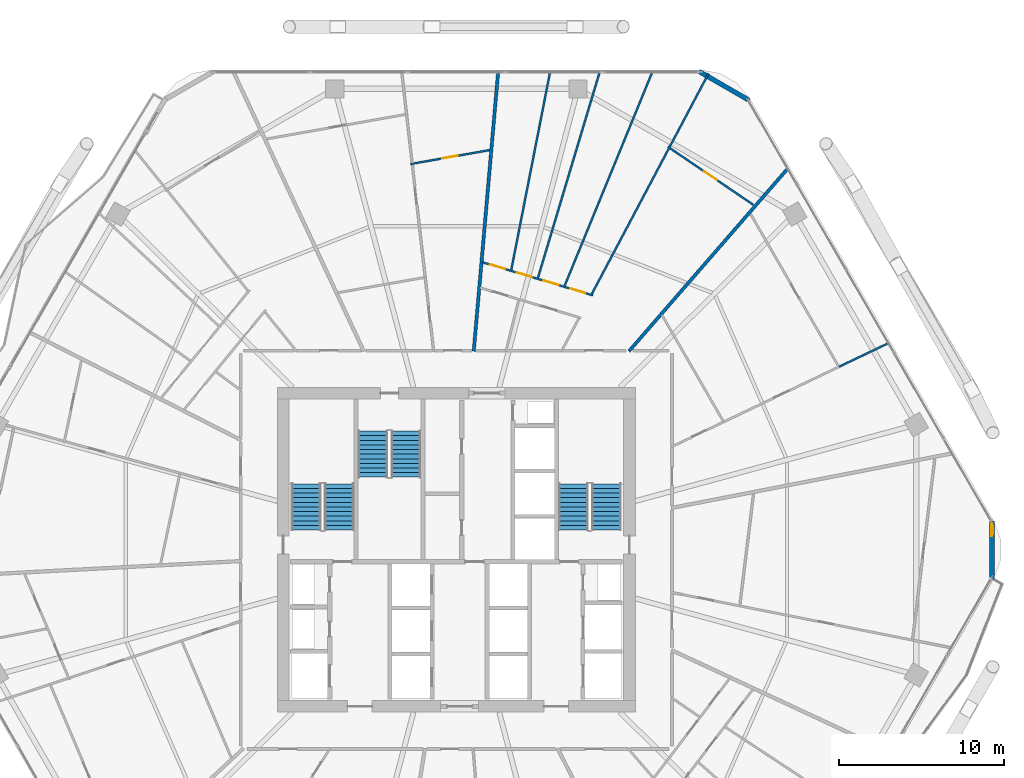
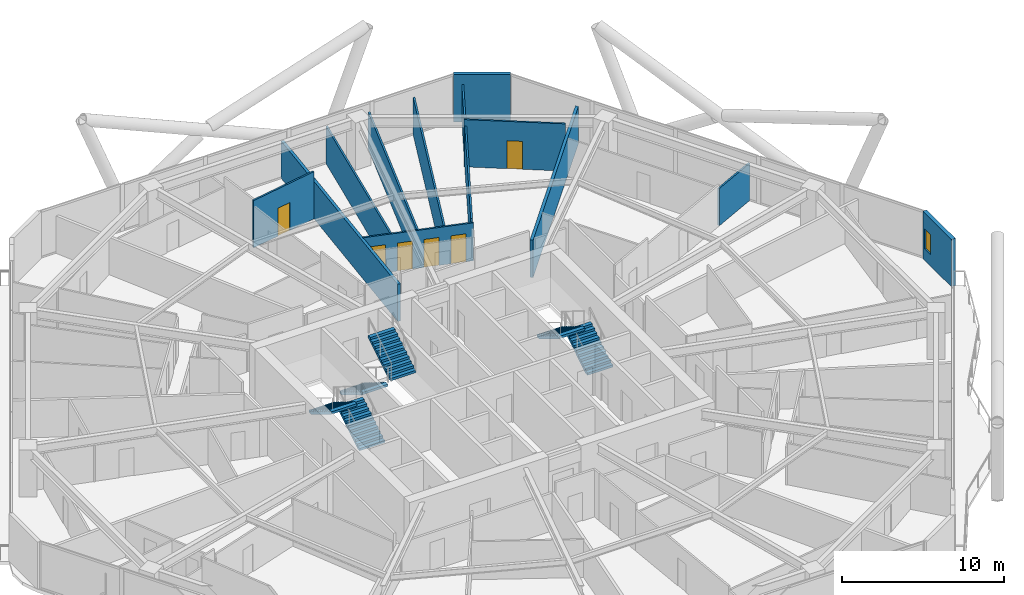
# One storey, part 32 of 34: 13 walls, 6 doors, 6 stair flights, 1 window, 7 openings, 3 elements without a shape of their own.
"""IFC4 building model written with IfcOpenShell, lengths in metres."""

from ifc_helpers import new_model, si_unit, direction, frame, frame_2d, origin, place, context, subcontext, project, spatial, polyline, rectangle, outline, extrude, material, layer, layer_set, type_object, element, fill, aggregate, save


model = new_model("IFC4")

# Units and contexts
model_context = context("Model", 3, precision=1e-05, world=origin(), true_north=direction((0.0, 1.0)))
body_context = subcontext(model_context, "Body", "Model", "MODEL_VIEW")
ifc_project = project(units=[si_unit("LENGTHUNIT", "METRE"), si_unit("AREAUNIT", "SQUARE_METRE"), si_unit("VOLUMEUNIT", "CUBIC_METRE"), si_unit("PLANEANGLEUNIT", "RADIAN"), si_unit("MASSUNIT", "GRAM", prefix="KILO")], contexts=[model_context])

# Site, building, storey
site_placement = place(None, origin())
site = spatial("IfcSite", under=ifc_project, at=site_placement, CompositionType="ELEMENT")
building_placement = place(site_placement, origin())
building = spatial("IfcBuilding", under=site, at=building_placement, Name="Zuhravey Tower", CompositionType="ELEMENT")
storey_placement = place(building_placement, frame((0.0, 0.0, 130.39990234375)))
storey = spatial("IfcBuildingStorey", under=building, at=storey_placement, Name="L32", CompositionType="ELEMENT", Elevation=130.39990234375)

# Wall
ifc_material_1 = material(Name="Precast concrete C40/50", Category="concrete")
ifc_layer_1 = layer(ifc_material_1, 0.280029296875)
ifc_layer_set_1 = layer_set([ifc_layer_1], Name="Precast concrete C40/50")
wall_type_1 = type_object("IfcWallType", Name="Crown Architectural Wall 280", PredefinedType="SOLIDWALL", material=ifc_layer_set_1)
wall_1_placement = place(storey_placement, frame((50.71728515625, 61.006103515625, 0.0), z_axis=(0.0, 0.0, 1.0), x_axis=(0.866007452331, -0.500031091541, 0.0)))
element("IfcWall", 1, at=wall_1_placement, inside=storey, type_object=wall_type_1, Name="L32 Rounded Corner Closure Wall EW28-10", PredefinedType="SOLIDWALL", context=body_context, shape_type="SweptSolid", body=[
    extrude(rectangle(XDim=3.514892578125, YDim=0.280029296875, at=frame_2d((1.75732421875, 0.0))), origin(), (0.0, 0.0, 1.0), 3.550048828125),
])

# Wall, opening, window
wall_2_placement = place(storey_placement, frame((68.478515625, 33.757568359375, 0.0), z_axis=(0.0, 0.0, 1.0), x_axis=(0.0, -1.0, 0.0)))
wall_2 = element("IfcWall", 2, at=wall_2_placement, inside=storey, type_object=wall_type_1, Name="L32 Rounded Corner Closure Wall EW28-12", PredefinedType="SOLIDWALL", context=body_context, shape_type="SweptSolid", body=[
    extrude(rectangle(XDim=3.51513671875, YDim=0.280029296875, at=frame_2d((1.757568359375, 0.0))), origin(), (0.0, 0.0, 1.0), 3.550048828125),
])
opening_1_placement = place(wall_2_placement, frame((0.18212890625, 0.0, 0.85009765625)))
opening_1 = element("IfcOpeningElement", 3, at=opening_1_placement, cuts=wall_2, Name="Opening WN5", PredefinedType="OPENING", context=body_context, shape_type="SweptSolid", body=[
    extrude(rectangle(XDim=0.75, YDim=1.5, at=frame_2d((0.375, 0.75))), frame((0.0, 0.152099609375, 0.0), z_axis=(0.0, -1.0, 0.0), x_axis=(1.0, 0.0, 0.0)), (0.0, 0.0, 1.0), 0.303955078125),
])
ifc_material_2 = material(Name="Thermally broken aluminium and triple low-E glass", Category="aluminium")
window_type = type_object("IfcWindowType", Name="Residential Corner Casement Window 750x1500", PartitioningType="SINGLE_PANEL", PredefinedType="WINDOW", material=ifc_material_2)
window_placement = place(opening_1_placement, origin())
window = element("IfcWindow", 4, at=window_placement, inside=storey, type_object=window_type, Name="L32 Corner Casement Window WN5-12.1", OverallHeight=1.5, OverallWidth=0.75, PartitioningType="SINGLE_PANEL", PredefinedType="WINDOW", context=body_context, shape_type="SweptSolid", body=[
    extrude(rectangle(XDim=0.75, YDim=1.5, at=frame_2d((0.375, 0.75))), frame((0.0, 0.030029296875, 0.0), z_axis=(0.0, -1.0, 0.0), x_axis=(1.0, 0.0, 0.0)), (0.0, 0.0, 1.0), 0.06005859375),
])
fill(opening_1, window)

# Walls
ifc_material_3 = material(Name="Gypsum double-stud party assembly")
ifc_layer_2 = layer(ifc_material_3, 0.199951171875)
ifc_layer_set_2 = layer_set([ifc_layer_2], Name="Gypsum double-stud party assembly")
wall_type_2 = type_object("IfcWallType", Name="Inter-Tenancy Party Wall 200", PredefinedType="PARTITIONING", material=ifc_layer_set_2)
wall_3_placement = place(storey_placement, frame((46.46630859375, 44.0400390625, 0.0), z_axis=(0.0, 0.0, 1.0), x_axis=(0.656061723069, 0.754707238287, 0.0)))
element("IfcWall", 5, at=wall_3_placement, inside=storey, type_object=wall_type_2, Name="L32 IW20 Partition 079", PredefinedType="PARTITIONING", context=body_context, shape_type="SweptSolid", body=[
    extrude(rectangle(XDim=14.673828125, YDim=0.199951171875, at=frame_2d((7.3369140625, 0.0))), origin(), (0.0, 0.0, 1.0), 2.800048828125),
])
wall_4_placement = place(storey_placement, frame((37.053466796875, 44.0400390625, 0.0), z_axis=(0.0, 0.0, 1.0), x_axis=(0.087144480826, 0.996195683318, 0.0)))
element("IfcWall", 6, at=wall_4_placement, inside=storey, type_object=wall_type_2, Name="L32 IW20 Partition 087", PredefinedType="PARTITIONING", context=body_context, shape_type="SweptSolid", body=[
    extrude(rectangle(XDim=16.983154296875, YDim=0.199951171875, at=frame_2d((8.49169921875, 0.0))), origin(), (0.0, 0.0, 1.0), 2.800048828125),
])

# Wall, opening, door
ifc_material_4 = material(Name="Gypsum metal-stud partition")
ifc_layer_3 = layer(ifc_material_4, 0.1201171875)
ifc_layer_set_3 = layer_set([ifc_layer_3], Name="Gypsum metal-stud partition")
wall_type_3 = type_object("IfcWallType", Name="Unit Internal Partition 120", PredefinedType="PARTITIONING", material=ifc_layer_set_3)
wall_5_placement = place(storey_placement, frame((54.0009765625, 52.922607421875, 0.0), z_axis=(0.0, 0.0, 1.0), x_axis=(-0.827088330425, 0.562071964854, 0.0)))
wall_5 = element("IfcWall", 7, at=wall_5_placement, inside=storey, type_object=wall_type_3, Name="L32 IW12 Partition 023", PredefinedType="PARTITIONING", context=body_context, shape_type="SweptSolid", body=[
    extrude(rectangle(XDim=6.256103515625, YDim=0.1201171875, at=frame_2d((3.1279296875, 0.0))), origin(), (0.0, 0.0, 1.0), 3.550048828125),
])
opening_2_placement = place(wall_5_placement, frame((2.653076171875, 0.0, 0.0)))
opening_2 = element("IfcOpeningElement", 8, at=opening_2_placement, cuts=wall_5, Name="Opening IND1", PredefinedType="OPENING", context=body_context, shape_type="SweptSolid", body=[
    extrude(rectangle(XDim=0.949951171875, YDim=2.10009765625, at=frame_2d((0.47509765625, 1.050048828125))), frame((0.0, 0.072021484375, 0.0), z_axis=(0.0, -1.0, 0.0), x_axis=(1.0, 0.0, 0.0)), (0.0, 0.0, 1.0), 0.14404296875),
])
ifc_material_5 = material(Name="Painted engineered timber leaf", Category="wood")
door_type = type_object("IfcDoorType", Name="Internal Room & Bedroom Door 950x2100", OperationType="NOTDEFINED", PredefinedType="DOOR", material=ifc_material_5)
door_1_placement = place(opening_2_placement, frame((0.949951171875, 0.0, 0.0), z_axis=(0.0, 0.0, 1.0), x_axis=(-1.0, 0.0, 0.0)))
door_1 = element("IfcDoor", 9, at=door_1_placement, inside=storey, type_object=door_type, Name="Apartment L32-02 Family Study Door", OperationType="SINGLE_SWING_RIGHT", OverallHeight=2.10009765625, OverallWidth=0.949951171875, PredefinedType="DOOR", context=body_context, shape_type="SweptSolid", body=[
    extrude(rectangle(XDim=0.949951171875, YDim=2.10009765625, at=frame_2d((0.47509765625, 1.050048828125))), frame((0.0, 0.02490234375, 0.0), z_axis=(0.0, -1.0, 0.0), x_axis=(1.0, 0.0, 0.0)), (0.0, 0.0, 1.0), 0.050048828125),
])
fill(opening_2, door_1)

# Wall, openings, doors
wall_6_placement = place(storey_placement, frame((44.28076171875, 47.426025390625, 0.0), z_axis=(0.0, 0.0, 1.0), x_axis=(-0.957812840143, 0.287392698684, 0.0)))
wall_6 = element("IfcWall", 10, at=wall_6_placement, inside=storey, type_object=wall_type_3, Name="L32 IW12 Partition 025", PredefinedType="PARTITIONING", context=body_context, shape_type="SweptSolid", body=[
    extrude(rectangle(XDim=6.997314453125, YDim=0.1201171875, at=frame_2d((3.49853515625, 0.0))), origin(), (0.0, 0.0, 1.0), 2.85009765625),
])
opening_3_placement = place(wall_6_placement, frame((0.4833984375, 0.0, 0.0)))
opening_3 = element("IfcOpeningElement", 11, at=opening_3_placement, cuts=wall_6, Name="Opening IND1", PredefinedType="OPENING", context=body_context, shape_type="SweptSolid", body=[
    extrude(rectangle(XDim=0.949951171875, YDim=2.10009765625, at=frame_2d((0.47509765625, 1.050048828125))), frame((0.0, 0.072021484375, 0.0), z_axis=(0.0, -1.0, 0.0), x_axis=(1.0, 0.0, 0.0)), (0.0, 0.0, 1.0), 0.14404296875),
])
opening_4_placement = place(wall_6_placement, frame((2.182373046875, 0.0, 0.0)))
opening_4 = element("IfcOpeningElement", 12, at=opening_4_placement, cuts=wall_6, Name="Opening IND1", PredefinedType="OPENING", context=body_context, shape_type="SweptSolid", body=[
    extrude(rectangle(XDim=0.949951171875, YDim=2.10009765625, at=frame_2d((0.47509765625, 1.050048828125))), frame((0.0, 0.072021484375, 0.0), z_axis=(0.0, -1.0, 0.0), x_axis=(1.0, 0.0, 0.0)), (0.0, 0.0, 1.0), 0.14404296875),
])
opening_5_placement = place(wall_6_placement, frame((3.864990234375, 0.0, 0.0)))
opening_5 = element("IfcOpeningElement", 13, at=opening_5_placement, cuts=wall_6, Name="Opening IND1", PredefinedType="OPENING", context=body_context, shape_type="SweptSolid", body=[
    extrude(rectangle(XDim=0.949951171875, YDim=2.10009765625, at=frame_2d((0.47509765625, 1.050048828125))), frame((0.0, 0.072021484375, 0.0), z_axis=(0.0, -1.0, 0.0), x_axis=(1.0, 0.0, 0.0)), (0.0, 0.0, 1.0), 0.14404296875),
])
opening_6_placement = place(wall_6_placement, frame((5.564208984375, 0.0, 0.0)))
opening_6 = element("IfcOpeningElement", 14, at=opening_6_placement, cuts=wall_6, Name="Opening IND1", PredefinedType="OPENING", context=body_context, shape_type="SweptSolid", body=[
    extrude(rectangle(XDim=0.949951171875, YDim=2.10009765625, at=frame_2d((0.47509765625, 1.050048828125))), frame((0.0, 0.072021484375, 0.0), z_axis=(0.0, -1.0, 0.0), x_axis=(1.0, 0.0, 0.0)), (0.0, 0.0, 1.0), 0.14404296875),
])
door_2_placement = place(opening_3_placement, frame((0.949951171875, 0.0, 0.0), z_axis=(0.0, 0.0, 1.0), x_axis=(-1.0, 0.0, 0.0)))
door_2 = element("IfcDoor", 15, at=door_2_placement, inside=storey, type_object=door_type, Name="Apartment L32-02 Bedroom 1 Door", OperationType="SINGLE_SWING_LEFT", OverallHeight=2.10009765625, OverallWidth=0.949951171875, PredefinedType="DOOR", context=body_context, shape_type="SweptSolid", body=[
    extrude(rectangle(XDim=0.949951171875, YDim=2.10009765625, at=frame_2d((0.47509765625, 1.050048828125))), frame((0.0, 0.02490234375, 0.0), z_axis=(0.0, -1.0, 0.0), x_axis=(1.0, 0.0, 0.0)), (0.0, 0.0, 1.0), 0.050048828125),
])
fill(opening_3, door_2)
door_3_placement = place(opening_4_placement, frame((0.949951171875, 0.0, 0.0), z_axis=(0.0, 0.0, 1.0), x_axis=(-1.0, 0.0, 0.0)))
door_3 = element("IfcDoor", 16, at=door_3_placement, inside=storey, type_object=door_type, Name="Apartment L32-02 Bedroom 2 Door", OperationType="SINGLE_SWING_RIGHT", OverallHeight=2.10009765625, OverallWidth=0.949951171875, PredefinedType="DOOR", context=body_context, shape_type="SweptSolid", body=[
    extrude(rectangle(XDim=0.949951171875, YDim=2.10009765625, at=frame_2d((0.47509765625, 1.050048828125))), frame((0.0, 0.02490234375, 0.0), z_axis=(0.0, -1.0, 0.0), x_axis=(1.0, 0.0, 0.0)), (0.0, 0.0, 1.0), 0.050048828125),
])
fill(opening_4, door_3)
door_4_placement = place(opening_5_placement, frame((0.949951171875, 0.0, 0.0), z_axis=(0.0, 0.0, 1.0), x_axis=(-1.0, 0.0, 0.0)))
door_4 = element("IfcDoor", 17, at=door_4_placement, inside=storey, type_object=door_type, Name="Apartment L32-02 Bedroom 3 Door", OperationType="SINGLE_SWING_LEFT", OverallHeight=2.10009765625, OverallWidth=0.949951171875, PredefinedType="DOOR", context=body_context, shape_type="SweptSolid", body=[
    extrude(rectangle(XDim=0.949951171875, YDim=2.10009765625, at=frame_2d((0.47509765625, 1.050048828125))), frame((0.0, 0.02490234375, 0.0), z_axis=(0.0, -1.0, 0.0), x_axis=(1.0, 0.0, 0.0)), (0.0, 0.0, 1.0), 0.050048828125),
])
fill(opening_5, door_4)
door_5_placement = place(opening_6_placement, frame((0.949951171875, 0.0, 0.0), z_axis=(0.0, 0.0, 1.0), x_axis=(-1.0, 0.0, 0.0)))
door_5 = element("IfcDoor", 18, at=door_5_placement, inside=storey, type_object=door_type, Name="Apartment L32-02 Bedroom 4 Door", OperationType="SINGLE_SWING_RIGHT", OverallHeight=2.10009765625, OverallWidth=0.949951171875, PredefinedType="DOOR", context=body_context, shape_type="SweptSolid", body=[
    extrude(rectangle(XDim=0.949951171875, YDim=2.10009765625, at=frame_2d((0.47509765625, 1.050048828125))), frame((0.0, 0.02490234375, 0.0), z_axis=(0.0, -1.0, 0.0), x_axis=(1.0, 0.0, 0.0)), (0.0, 0.0, 1.0), 0.050048828125),
])
fill(opening_6, door_5)

# Wall, opening, door
wall_7_placement = place(storey_placement, frame((38.007568359375, 56.234375, 0.0), z_axis=(0.0, 0.0, 1.0), x_axis=(-0.984810882198, -0.173630430239, 0.0)))
wall_7 = element("IfcWall", 19, at=wall_7_placement, inside=storey, type_object=wall_type_3, Name="L32 IW12 Partition 027", PredefinedType="PARTITIONING", context=body_context, shape_type="SweptSolid", body=[
    extrude(rectangle(XDim=4.855224609375, YDim=0.1201171875, at=frame_2d((2.427734375, 0.0))), origin(), (0.0, 0.0, 1.0), 3.550048828125),
])
opening_7_placement = place(wall_7_placement, frame((1.95263671875, 0.0, 0.0)))
opening_7 = element("IfcOpeningElement", 20, at=opening_7_placement, cuts=wall_7, Name="Opening IND1", PredefinedType="OPENING", context=body_context, shape_type="SweptSolid", body=[
    extrude(rectangle(XDim=0.949951171875, YDim=2.10009765625, at=frame_2d((0.47509765625, 1.050048828125))), frame((0.0, 0.072021484375, 0.0), z_axis=(0.0, -1.0, 0.0), x_axis=(1.0, 0.0, 0.0)), (0.0, 0.0, 1.0), 0.14404296875),
])
door_6_placement = place(opening_7_placement, frame((0.949951171875, 0.0, 0.0), z_axis=(0.0, 0.0, 1.0), x_axis=(-1.0, 0.0, 0.0)))
door_6 = element("IfcDoor", 21, at=door_6_placement, inside=storey, type_object=door_type, Name="Apartment L32-03 Family Study Door", OperationType="SINGLE_SWING_RIGHT", OverallHeight=2.10009765625, OverallWidth=0.949951171875, PredefinedType="DOOR", context=body_context, shape_type="SweptSolid", body=[
    extrude(rectangle(XDim=0.949951171875, YDim=2.10009765625, at=frame_2d((0.47509765625, 1.050048828125))), frame((0.0, 0.02490234375, 0.0), z_axis=(0.0, -1.0, 0.0), x_axis=(1.0, 0.0, 0.0)), (0.0, 0.0, 1.0), 0.050048828125),
])
fill(opening_7, door_6)

# Walls
wall_8_placement = place(storey_placement, frame((59.215087890625, 43.102783203125, 0.0), z_axis=(0.0, 0.0, 1.0), x_axis=(0.902135467198, 0.431452892936, 0.0)))
element("IfcWall", 22, at=wall_8_placement, inside=storey, type_object=wall_type_3, Name="L32 IW12 Partition 077", PredefinedType="PARTITIONING", context=body_context, shape_type="SweptSolid", body=[
    extrude(rectangle(XDim=3.317138671875, YDim=0.1201171875, at=frame_2d((1.65869140625, 0.0))), origin(), (0.0, 0.0, 1.0), 2.800048828125),
])
wall_9_placement = place(storey_placement, frame((42.56689453125, 48.01123046875, 0.0), z_axis=(0.0, 0.0, 1.0), x_axis=(0.379443868759, 0.925214759103, 0.0)))
element("IfcWall", 23, at=wall_9_placement, inside=storey, type_object=wall_type_3, Name="L32 IW12 Partition 081", PredefinedType="PARTITIONING", context=body_context, shape_type="SweptSolid", body=[
    extrude(rectangle(XDim=14.004638671875, YDim=0.1201171875, at=frame_2d((7.00244140625, 0.0))), origin(), (0.0, 0.0, 1.0), 2.800048828125),
])
wall_10_placement = place(storey_placement, frame((40.94921875, 48.49658203125, 0.0), z_axis=(0.0, 0.0, 1.0), x_axis=(0.287356486292, 0.957823704961, 0.0)))
element("IfcWall", 24, at=wall_10_placement, inside=storey, type_object=wall_type_3, Name="L32 IW12 Partition 082", PredefinedType="PARTITIONING", context=body_context, shape_type="SweptSolid", body=[
    extrude(rectangle(XDim=13.02099609375, YDim=0.1201171875, at=frame_2d((6.510498046875, 0.0))), origin(), (0.0, 0.0, 1.0), 2.800048828125),
])
wall_11_placement = place(storey_placement, frame((39.331787109375, 48.98193359375, 0.0), z_axis=(0.0, 0.0, 1.0), x_axis=(0.192513335822, 0.98129435723, 0.0)))
element("IfcWall", 25, at=wall_11_placement, inside=storey, type_object=wall_type_3, Name="L32 IW12 Partition 083", PredefinedType="PARTITIONING", context=body_context, shape_type="SweptSolid", body=[
    extrude(rectangle(XDim=12.215087890625, YDim=0.1201171875, at=frame_2d((6.107421875, 0.0))), origin(), (0.0, 0.0, 1.0), 2.800048828125),
])
wall_12_placement = place(storey_placement, frame((44.2158203125, 47.5166015625, 0.0), z_axis=(0.0, 0.0, 1.0), x_axis=(0.467901230601, 0.883780763765, 0.0)))
element("IfcWall", 26, at=wall_12_placement, inside=storey, type_object=wall_type_3, Name="L32 IW12 Partition 085", PredefinedType="PARTITIONING", context=body_context, shape_type="SweptSolid", body=[
    extrude(rectangle(XDim=9.96337890625, YDim=0.1201171875, at=frame_2d((4.981689453125, 0.0))), origin(), (0.0, 0.0, 1.0), 3.10009765625),
])
wall_13_placement = place(storey_placement, frame((48.94189453125, 56.44287109375, 0.0), z_axis=(0.0, 0.0, 1.0), x_axis=(0.467903344083, 0.883779644819, 0.0)))
element("IfcWall", 27, at=wall_13_placement, inside=storey, type_object=wall_type_3, Name="L32 IW12 Partition 086", PredefinedType="PARTITIONING", context=body_context, shape_type="SweptSolid", body=[
    extrude(rectangle(XDim=5.025634765625, YDim=0.1201171875, at=frame_2d((2.5126953125, 0.0))), origin(), (0.0, 0.0, 1.0), 2.800048828125),
])

# Stair, stair flights
ifc_material_6 = material(Name="Concrete C40/50", Category="concrete")
stair_type = type_object("IfcStairType", Name="Housing Storey Stair Assembly 3800", PredefinedType="HALF_TURN_STAIR", material=ifc_material_6)
stair_1_placement = place(storey_placement, origin())
stair_1 = element("IfcStair", 28, at=stair_1_placement, inside=storey, type_object=stair_type, Name="L32 Core Exit Stair ST1", PredefinedType="HALF_TURN_STAIR")
stair_flight_type = type_object("IfcStairFlightType", Name="Housing Storey Stair Flight 3800", PredefinedType="STRAIGHT", material=ifc_material_6)
stair_flight_1_placement = place(storey_placement, frame((28.89990234375, 33.199951171875, 0.0), z_axis=(0.0, 0.0, 1.0), x_axis=(0.0, 1.0, 0.0)))
stair_flight_1 = element("IfcStairFlight", 29, at=stair_flight_1_placement, type_object=stair_flight_type, Name="ST1 flight 1", NumberOfRisers=11, NumberOfTreads=10, PredefinedType="STRAIGHT", RiserHeight=0.172727273, TreadLength=0.28, context=body_context, shape_type="SweptSolid", body=[
    extrude(outline(polyline([(0.0, 0.0), (0.0, 0.172607421875), (0.280029296875, 0.172607421875), (0.280029296875, 0.345458984375), (0.56005859375, 0.345458984375), (0.56005859375, 0.51806640625), (0.840087890625, 0.51806640625), (0.840087890625, 0.69091796875), (1.1201171875, 0.69091796875), (1.1201171875, 0.863525390625), (1.39990234375, 0.863525390625), (1.39990234375, 1.036376953125), (1.679931640625, 1.036376953125), (1.679931640625, 1.208984375), (1.9599609375, 1.208984375), (1.9599609375, 1.3818359375), (2.239990234375, 1.3818359375), (2.239990234375, 1.554443359375), (2.52001953125, 1.554443359375), (2.52001953125, 1.727294921875), (2.800048828125, 1.727294921875), (2.800048828125, 1.89990234375), (2.800048828125, 1.551025390625), (0.285400390625, 0.0), (0.0, 0.0)])), frame((0.0, 0.89990234375, 0.0), z_axis=(0.0, -1.0, 0.0), x_axis=(1.0, 0.0, 0.0)), (0.0, 0.0, 1.0), 1.800048828125),
])
stair_flight_2_placement = place(storey_placement, frame((26.89990234375, 36.0, 1.900146484375), z_axis=(0.0, 0.0, 1.0), x_axis=(0.0, -1.0, 0.0)))
stair_flight_2 = element("IfcStairFlight", 30, at=stair_flight_2_placement, type_object=stair_flight_type, Name="ST1 flight 2", NumberOfRisers=11, NumberOfTreads=10, PredefinedType="STRAIGHT", RiserHeight=0.172727273, TreadLength=0.28, context=body_context, shape_type="SweptSolid", body=[
    extrude(outline(polyline([(0.0, 0.0), (0.0, 0.172607421875), (0.280029296875, 0.172607421875), (0.280029296875, 0.345458984375), (0.56005859375, 0.345458984375), (0.56005859375, 0.51806640625), (0.840087890625, 0.51806640625), (0.840087890625, 0.69091796875), (1.1201171875, 0.69091796875), (1.1201171875, 0.863525390625), (1.39990234375, 0.863525390625), (1.39990234375, 1.036376953125), (1.679931640625, 1.036376953125), (1.679931640625, 1.208984375), (1.9599609375, 1.208984375), (1.9599609375, 1.3818359375), (2.239990234375, 1.3818359375), (2.239990234375, 1.554443359375), (2.52001953125, 1.554443359375), (2.52001953125, 1.727294921875), (2.800048828125, 1.727294921875), (2.800048828125, 1.89990234375), (2.800048828125, 1.551025390625), (0.285400390625, 0.0), (0.0, 0.0)])), frame((0.0, 0.89990234375, 0.0), z_axis=(0.0, -1.0, 0.0), x_axis=(1.0, 0.0, 0.0)), (0.0, 0.0, 1.0), 1.800048828125),
])
aggregate(stair_1, [stair_flight_1, stair_flight_2])

stair_2_placement = place(storey_placement, origin())
stair_2 = element("IfcStair", 31, at=stair_2_placement, inside=storey, type_object=stair_type, Name="L32 Core Exit Stair ST2", PredefinedType="HALF_TURN_STAIR")
stair_flight_3_placement = place(storey_placement, frame((45.10009765625, 33.199951171875, 0.0), z_axis=(0.0, 0.0, 1.0), x_axis=(0.0, 1.0, 0.0)))
stair_flight_3 = element("IfcStairFlight", 32, at=stair_flight_3_placement, type_object=stair_flight_type, Name="ST2 flight 1", NumberOfRisers=11, NumberOfTreads=10, PredefinedType="STRAIGHT", RiserHeight=0.172727273, TreadLength=0.28, context=body_context, shape_type="SweptSolid", body=[
    extrude(outline(polyline([(0.0, 0.0), (0.0, 0.172607421875), (0.280029296875, 0.172607421875), (0.280029296875, 0.345458984375), (0.56005859375, 0.345458984375), (0.56005859375, 0.51806640625), (0.840087890625, 0.51806640625), (0.840087890625, 0.69091796875), (1.1201171875, 0.69091796875), (1.1201171875, 0.863525390625), (1.39990234375, 0.863525390625), (1.39990234375, 1.036376953125), (1.679931640625, 1.036376953125), (1.679931640625, 1.208984375), (1.9599609375, 1.208984375), (1.9599609375, 1.3818359375), (2.239990234375, 1.3818359375), (2.239990234375, 1.554443359375), (2.52001953125, 1.554443359375), (2.52001953125, 1.727294921875), (2.800048828125, 1.727294921875), (2.800048828125, 1.89990234375), (2.800048828125, 1.551025390625), (0.285400390625, 0.0), (0.0, 0.0)])), frame((0.0, 0.89990234375, 0.0), z_axis=(0.0, -1.0, 0.0), x_axis=(1.0, 0.0, 0.0)), (0.0, 0.0, 1.0), 1.800048828125),
])
stair_flight_4_placement = place(storey_placement, frame((43.10009765625, 36.0, 1.900146484375), z_axis=(0.0, 0.0, 1.0), x_axis=(0.0, -1.0, 0.0)))
stair_flight_4 = element("IfcStairFlight", 33, at=stair_flight_4_placement, type_object=stair_flight_type, Name="ST2 flight 2", NumberOfRisers=11, NumberOfTreads=10, PredefinedType="STRAIGHT", RiserHeight=0.172727273, TreadLength=0.28, context=body_context, shape_type="SweptSolid", body=[
    extrude(outline(polyline([(0.0, 0.0), (0.0, 0.172607421875), (0.280029296875, 0.172607421875), (0.280029296875, 0.345458984375), (0.56005859375, 0.345458984375), (0.56005859375, 0.51806640625), (0.840087890625, 0.51806640625), (0.840087890625, 0.69091796875), (1.1201171875, 0.69091796875), (1.1201171875, 0.863525390625), (1.39990234375, 0.863525390625), (1.39990234375, 1.036376953125), (1.679931640625, 1.036376953125), (1.679931640625, 1.208984375), (1.9599609375, 1.208984375), (1.9599609375, 1.3818359375), (2.239990234375, 1.3818359375), (2.239990234375, 1.554443359375), (2.52001953125, 1.554443359375), (2.52001953125, 1.727294921875), (2.800048828125, 1.727294921875), (2.800048828125, 1.89990234375), (2.800048828125, 1.551025390625), (0.285400390625, 0.0), (0.0, 0.0)])), frame((0.0, 0.89990234375, 0.0), z_axis=(0.0, -1.0, 0.0), x_axis=(1.0, 0.0, 0.0)), (0.0, 0.0, 1.0), 1.800048828125),
])
aggregate(stair_2, [stair_flight_3, stair_flight_4])

stair_3_placement = place(storey_placement, origin())
stair_3 = element("IfcStair", 34, at=stair_3_placement, inside=storey, type_object=stair_type, Name="L32 Core Exit Stair ST3", PredefinedType="HALF_TURN_STAIR")
stair_flight_5_placement = place(storey_placement, frame((30.949951171875, 39.199951171875, 0.0), z_axis=(0.0, 0.0, 1.0), x_axis=(0.0, -1.0, 0.0)))
stair_flight_5 = element("IfcStairFlight", 35, at=stair_flight_5_placement, type_object=stair_flight_type, Name="ST3 flight 1", NumberOfRisers=11, NumberOfTreads=10, PredefinedType="STRAIGHT", RiserHeight=0.172727273, TreadLength=0.28, context=body_context, shape_type="SweptSolid", body=[
    extrude(outline(polyline([(0.0, 0.0), (0.0, 0.172607421875), (0.280029296875, 0.172607421875), (0.280029296875, 0.345458984375), (0.56005859375, 0.345458984375), (0.56005859375, 0.51806640625), (0.840087890625, 0.51806640625), (0.840087890625, 0.69091796875), (1.1201171875, 0.69091796875), (1.1201171875, 0.863525390625), (1.39990234375, 0.863525390625), (1.39990234375, 1.036376953125), (1.679931640625, 1.036376953125), (1.679931640625, 1.208984375), (1.9599609375, 1.208984375), (1.9599609375, 1.3818359375), (2.239990234375, 1.3818359375), (2.239990234375, 1.554443359375), (2.52001953125, 1.554443359375), (2.52001953125, 1.727294921875), (2.800048828125, 1.727294921875), (2.800048828125, 1.89990234375), (2.800048828125, 1.551025390625), (0.285400390625, 0.0), (0.0, 0.0)])), frame((0.0, 0.89990234375, 0.0), z_axis=(0.0, -1.0, 0.0), x_axis=(1.0, 0.0, 0.0)), (0.0, 0.0, 1.0), 1.800048828125),
])
stair_flight_6_placement = place(storey_placement, frame((32.949951171875, 36.39990234375, 1.900146484375), z_axis=(0.0, 0.0, 1.0), x_axis=(0.0, 1.0, 0.0)))
stair_flight_6 = element("IfcStairFlight", 36, at=stair_flight_6_placement, type_object=stair_flight_type, Name="ST3 flight 2", NumberOfRisers=11, NumberOfTreads=10, PredefinedType="STRAIGHT", RiserHeight=0.172727273, TreadLength=0.28, context=body_context, shape_type="SweptSolid", body=[
    extrude(outline(polyline([(0.0, 0.0), (0.0, 0.172607421875), (0.280029296875, 0.172607421875), (0.280029296875, 0.345458984375), (0.56005859375, 0.345458984375), (0.56005859375, 0.51806640625), (0.840087890625, 0.51806640625), (0.840087890625, 0.69091796875), (1.1201171875, 0.69091796875), (1.1201171875, 0.863525390625), (1.39990234375, 0.863525390625), (1.39990234375, 1.036376953125), (1.679931640625, 1.036376953125), (1.679931640625, 1.208984375), (1.9599609375, 1.208984375), (1.9599609375, 1.3818359375), (2.239990234375, 1.3818359375), (2.239990234375, 1.554443359375), (2.52001953125, 1.554443359375), (2.52001953125, 1.727294921875), (2.800048828125, 1.727294921875), (2.800048828125, 1.89990234375), (2.800048828125, 1.551025390625), (0.285400390625, 0.0), (0.0, 0.0)])), frame((0.0, 0.89990234375, 0.0), z_axis=(0.0, -1.0, 0.0), x_axis=(1.0, 0.0, 0.0)), (0.0, 0.0, 1.0), 1.800048828125),
])
aggregate(stair_3, [stair_flight_5, stair_flight_6])

save(model, "model.ifc")
